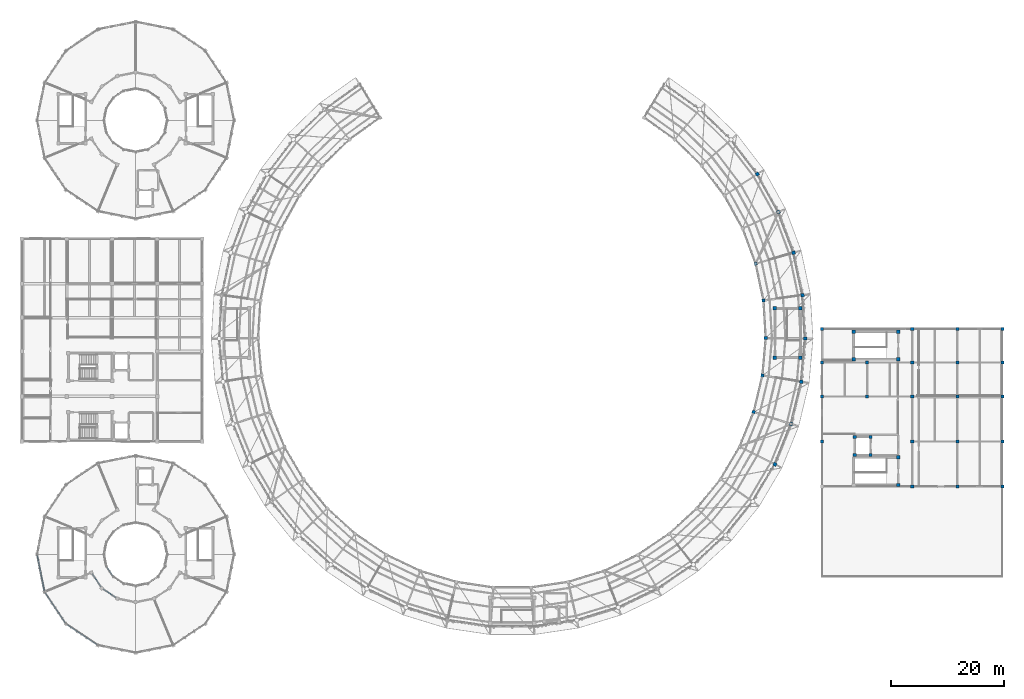
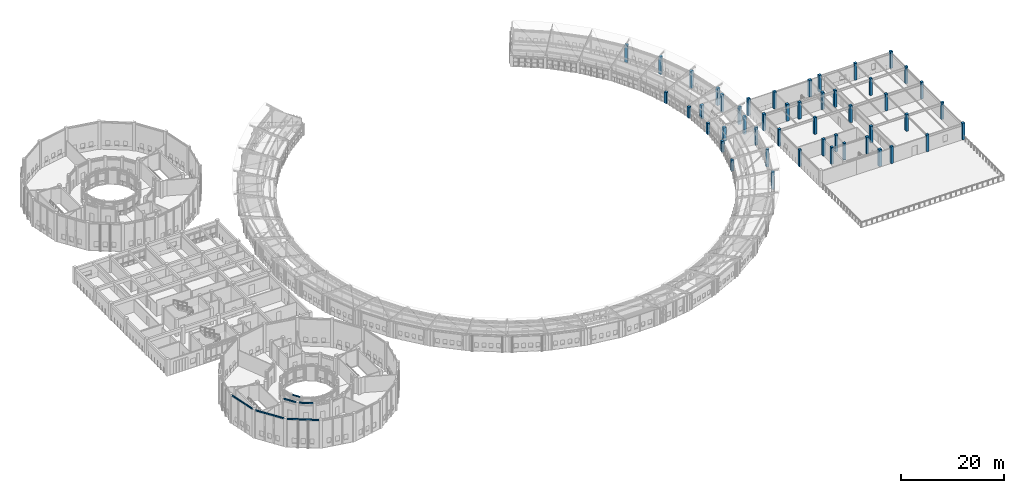
# One storey, part 7 of 149: 48 columns, 6 beams.
"""IFC4 building model written with IfcOpenShell, lengths in metres."""

import ifcopenshell
import ifcopenshell.guid

model = None  # the IFC model being written
_history = None  # IfcOwnerHistory: only IFC2X3 demands one
_inside = {}  # id of a spatial element -> (the spatial element, [elements in it])
_under = {}  # id of a project, library or spatial element -> (it, [spatial elements below it])
_declared = {}  # id of a project -> (the project, [libraries it declares])
_typed = {}  # id of a type object -> (the type object, [elements of that type])
_made_of = {}  # id of a material, layer set ... -> (it, [elements and type objects made of it])


def new_model(schema):
    """Start an empty IFC model of exactly this schema.

    Asked for "IFC4X3", IfcOpenShell would pick the latest addendum, in which some entities
    have other attributes; the version numbers below select the first issue.
    IFC2X3 requires an IfcOwnerHistory on every rooted entity: one is made here for all.
    """
    global model, _history
    if schema == "IFC4X3":
        model = ifcopenshell.file(schema_version=(4, 3, 0, 0))
    else:
        model = ifcopenshell.file(schema=schema)
    _inside.clear()
    _under.clear()
    _declared.clear()
    _typed.clear()
    _made_of.clear()
    _history = None
    if model.schema == "IFC2X3":
        org = make("IfcOrganization", Name="unknown")
        user = make(
            "IfcPersonAndOrganization",
            ThePerson=make("IfcPerson", FamilyName="unknown"),
            TheOrganization=org,
        )
        app = make(
            "IfcApplication",
            ApplicationDeveloper=org,
            Version="unknown",
            ApplicationFullName="unknown",
            ApplicationIdentifier="unknown",
        )
        _history = make(
            "IfcOwnerHistory",
            OwningUser=user,
            OwningApplication=app,
            ChangeAction="ADDED",
            CreationDate=0,
        )
    return model


def make(cls, **values):
    """One entity of the class cls with the attributes given. An attribute that is None is left unset."""
    return model.create_entity(
        cls, **{name: value for name, value in values.items() if value is not None}
    )


def rooted(cls, **values):
    """An entity with a GlobalId (a new one), such as an element, a storey or a relation."""
    return make(cls, GlobalId=ifcopenshell.guid.new(), OwnerHistory=_history, **values)


def si_unit(unit_type, name, prefix=None):
    """IfcSIUnit, for example si_unit("LENGTHUNIT", "METRE", prefix="MILLI")."""
    return make("IfcSIUnit", UnitType=unit_type, Prefix=prefix, Name=name)


def assignment(units):
    """IfcUnitAssignment: the units of a project."""
    return None if units is None else make("IfcUnitAssignment", Units=units)


def point(xyz):
    """IfcCartesianPoint."""
    return None if xyz is None else make("IfcCartesianPoint", Coordinates=xyz)


def direction(xyz):
    """IfcDirection."""
    return None if xyz is None else make("IfcDirection", DirectionRatios=xyz)


def frame(location, z_axis=None, x_axis=None):
    """IfcAxis2Placement3D, a coordinate frame: its origin and axes. An axis left out is left unset."""
    return make(
        "IfcAxis2Placement3D",
        Location=point(location),
        Axis=direction(z_axis),
        RefDirection=direction(x_axis),
    )


def frame_2d(location, x_axis=None):
    """IfcAxis2Placement2D, a coordinate frame in the plane: its origin and x axis."""
    return make(
        "IfcAxis2Placement2D", Location=point(location), RefDirection=direction(x_axis)
    )


def origin():
    """The frame at (0, 0, 0) with its axes left unset."""
    return frame((0.0, 0.0, 0.0))


def origin_2d():
    """The frame at (0, 0) in the plane with its x axis left unset."""
    return frame_2d((0.0, 0.0))


def place(relative_to, where):
    """IfcLocalPlacement: puts the frame where relative to a parent placement (None: the world)."""
    return make(
        "IfcLocalPlacement", PlacementRelTo=relative_to, RelativePlacement=where
    )


def context(
    kind, dimensions, precision=None, world=None, true_north=None, identifier=None
):
    """IfcGeometricRepresentationContext, for example the 3D "Model" context."""
    return make(
        "IfcGeometricRepresentationContext",
        ContextIdentifier=identifier,
        ContextType=kind,
        CoordinateSpaceDimension=dimensions,
        Precision=precision,
        WorldCoordinateSystem=world,
        TrueNorth=true_north,
    )


def subcontext(parent, identifier, kind, view, scale=None):
    """IfcGeometricRepresentationSubContext, for example "Body" below "Model"."""
    return make(
        "IfcGeometricRepresentationSubContext",
        ContextIdentifier=identifier,
        ContextType=kind,
        ParentContext=parent,
        TargetScale=scale,
        TargetView=view,
    )


def project(units=None, contexts=None):
    """IfcProject with its units and contexts."""
    return rooted(
        "IfcProject",
        Name="project",
        RepresentationContexts=contexts,
        UnitsInContext=assignment(units),
    )


def spatial(cls, under=None, at=None, **own):
    """A site, building, storey or space (cls), placed at a placement, below another one or the project."""
    s = rooted(cls, ObjectPlacement=at, **own)
    if under is not None:
        _under.setdefault(under.id(), (under, []))[1].append(s)
    return s


def profile(cls, at=None, kind="AREA", **sizes):
    """A parametric profile (cls). Its sizes go by their IFC names, for example OverallWidth=200.0."""
    return make(cls, ProfileType=kind, Position=at, **sizes)


def rectangle(**sizes):
    """IfcRectangleProfileDef."""
    return profile("IfcRectangleProfileDef", **sizes)


def i_section(**sizes):
    """IfcIShapeProfileDef."""
    return profile("IfcIShapeProfileDef", **sizes)


def extrude(swept, where, along, depth):
    """IfcExtrudedAreaSolid: the profile swept, set in the frame where, extruded along a direction by depth."""
    return make(
        "IfcExtrudedAreaSolid",
        SweptArea=swept,
        Position=where,
        ExtrudedDirection=direction(along),
        Depth=depth,
    )


def shape(context_of_items, identifier, shape_type, items):
    """IfcShapeRepresentation: the items that make up one representation, for example the "Body"."""
    return make(
        "IfcShapeRepresentation",
        ContextOfItems=context_of_items,
        RepresentationIdentifier=identifier,
        RepresentationType=shape_type,
        Items=items,
    )


def material(Name=None, Category=None):
    """IfcMaterial."""
    return make("IfcMaterial", Name=Name, Category=Category)


def material_profile(
    of_material, cross_section, Name=None, Category=None, Priority=None
):
    """IfcMaterialProfile: a cross section and its material."""
    return make(
        "IfcMaterialProfile",
        Name=Name,
        Material=of_material,
        Profile=cross_section,
        Priority=Priority,
        Category=Category,
    )


def profile_set(profiles, Name=None, composite=None):
    """IfcMaterialProfileSet."""
    return make(
        "IfcMaterialProfileSet",
        Name=Name,
        MaterialProfiles=profiles,
        CompositeProfile=composite,
    )


def made_of(thing, what):
    """Note that an element or type object is made of a material, layer set ...; save() writes the relation."""
    if what is not None:
        _made_of.setdefault(what.id(), (what, []))[1].append(thing)
    return thing


def type_object(cls, material=None, **own):
    """A type object (cls), such as IfcWallType, which elements share."""
    return made_of(rooted(cls, **own), material)


def element(
    cls,
    number,
    at=None,
    inside=None,
    cuts=None,
    type_object=None,
    material=None,
    context=None,
    identifier="Body",
    shape_type=None,
    held_by="IfcProductDefinitionShape",
    body=None,
    shapes=None,
    **own,
):
    """One element of the class cls, such as IfcWall. Its Tag is "e" and its number.

    at: its placement. inside: the storey or other place that contains it. cuts: it is an
    opening in that element (IfcRelVoidsElement). A single representation is given by context,
    identifier, shape_type and body (its items); several are given by shapes. held_by: the class
    of the entity that holds the representations. save() writes the other relations.
    """
    e = rooted(cls, Tag="e%d" % number, ObjectPlacement=at, **own)
    if body is not None:
        shapes = [shape(context, identifier, shape_type, body)]
    if shapes is not None:
        e.Representation = make(held_by, Representations=shapes)
    if inside is not None:
        _inside.setdefault(inside.id(), (inside, []))[1].append(e)
    if cuts is not None:
        rooted(
            "IfcRelVoidsElement", RelatingBuildingElement=cuts, RelatedOpeningElement=e
        )
    if type_object is not None:
        _typed.setdefault(type_object.id(), (type_object, []))[1].append(e)
    return made_of(e, material)


def aggregate(whole, parts):
    """IfcRelAggregates: a whole, such as a stair, and the parts it consists of."""
    return rooted("IfcRelAggregates", RelatingObject=whole, RelatedObjects=parts)


def save(model, path):
    """Write the relations noted so far, then the file.

    IfcRelAggregates (storeys below a building ...), IfcRelContainedInSpatialStructure (elements
    in a storey), IfcRelDefinesByType, IfcRelAssociatesMaterial and IfcRelDeclares: one each for
    every whole, place, type object, material and project.
    """
    for whole, parts in _under.values():
        aggregate(whole, parts)
    for where, things in _inside.values():
        rooted(
            "IfcRelContainedInSpatialStructure",
            RelatedElements=things,
            RelatingStructure=where,
        )
    for kind, things in _typed.values():
        rooted("IfcRelDefinesByType", RelatedObjects=things, RelatingType=kind)
    for what, things in _made_of.values():
        rooted("IfcRelAssociatesMaterial", RelatedObjects=things, RelatingMaterial=what)
    for by, libraries in _declared.values():
        rooted("IfcRelDeclares", RelatingContext=by, RelatedDefinitions=libraries)
    model.write(path)


model = new_model("IFC4")

# Units and contexts
model_context = context("Model", 3, precision=1e-05, world=origin(), true_north=direction((0.0, 1.0)))
body_context = subcontext(model_context, "Body", "Model", "MODEL_VIEW")
ifc_project = project(units=[si_unit("LENGTHUNIT", "METRE"), si_unit("AREAUNIT", "SQUARE_METRE"), si_unit("VOLUMEUNIT", "CUBIC_METRE"), si_unit("PLANEANGLEUNIT", "RADIAN"), si_unit("MASSUNIT", "GRAM", prefix="KILO")], contexts=[model_context])

# Site, building, storey
site_placement = place(None, origin())
site = spatial("IfcSite", under=ifc_project, at=site_placement, CompositionType="ELEMENT")
building_placement = place(site_placement, origin())
building = spatial("IfcBuilding", under=site, at=building_placement, Name="Celadon Cloister-Ring School", CompositionType="ELEMENT")
storey_placement = place(building_placement, frame((0.0, 0.0, 12.5)))
storey = spatial("IfcBuildingStorey", under=building, at=storey_placement, Name="L03", CompositionType="ELEMENT", Elevation=12.5)

# Columns
ifc_material_1 = material(Name="Concrete C40/50", Category="concrete")
ifc_material_profile_1 = material_profile(ifc_material_1, rectangle(XDim=0.60009765625, YDim=0.60009765625, at=origin_2d()), Name="RC600X600")
ifc_profile_set_1 = profile_set([ifc_material_profile_1], Name="Concrete C40/50")
column_type_1 = type_object("IfcColumnType", Name="CT-04", PredefinedType="COLUMN", material=ifc_profile_set_1)
column_1_placement = place(storey_placement, frame((133.6298828125, 54.89990234375, 0.0), z_axis=(0.0, 0.0, 1.0), x_axis=(1.0, 0.0, 0.0)))
element("IfcColumn", 1, at=column_1_placement, inside=storey, type_object=column_type_1, Name="Column 0004", PredefinedType="COLUMN", context=body_context, shape_type="SweptSolid", body=[
    extrude(rectangle(XDim=0.60009765625, YDim=0.60009765625, at=origin_2d()), origin(), (0.0, 0.0, 1.0), 3.158935546875),
])
for number, where, z_axis, x_axis, name in (
    (2, (138.14990234375, 54.89990234375, 0.0), (0.0, 0.0, 1.0), (1.0, 0.0, 0.0), "Column 0008"),
    (3, (138.14990234375, 63.6201171875, 0.0), (0.0, 0.0, 1.0), (1.0, 0.0, 0.0), "Column 0012"),
):
    element("IfcColumn", number, at=place(storey_placement, frame(where, z_axis=z_axis, x_axis=x_axis)), inside=storey, type_object=column_type_1, Name=name, PredefinedType="COLUMN", context=body_context, shape_type="SweptSolid", body=[
        extrude(rectangle(XDim=0.60009765625, YDim=0.60009765625, at=origin_2d()), origin(), (0.0, 0.0, 1.0), 4.14990234375),
    ])
column_2_placement = place(storey_placement, frame((133.6298828125, 63.6201171875, 0.0), z_axis=(0.0, 0.0, 1.0), x_axis=(1.0, 0.0, 0.0)))
element("IfcColumn", 4, at=column_2_placement, inside=storey, type_object=column_type_1, Name="Column 0016", PredefinedType="COLUMN", context=body_context, shape_type="SweptSolid", body=[
    extrude(rectangle(XDim=0.60009765625, YDim=0.60009765625, at=origin_2d()), origin(), (0.0, 0.0, 1.0), 3.169921875),
])
for number, where, z_axis, x_axis, name in (
    (5, (155.5, 32.300048828125, 0.0), (0.0, 0.0, 1.0), (1.0, 0.0, 0.0), "Column 0102"),
    (6, (155.5, 37.199951171875, 0.0), (0.0, 0.0, 1.0), (1.0, 0.0, 0.0), "Column 0106"),
    (7, (147.60009765625, 54.60009765625, 0.0), (0.0, 0.0, 1.0), (1.0, 0.0, 0.0), "Column 0110"),
    (8, (155.5, 54.60009765625, 0.0), (0.0, 0.0, 1.0), (1.0, 0.0, 0.0), "Column 0114"),
    (9, (155.5, 59.5, 0.0), (0.0, 0.0, 1.0), (1.0, 0.0, 0.0), "Column 0118"),
    (10, (147.60009765625, 59.5, 0.0), (0.0, 0.0, 1.0), (1.0, 0.0, 0.0), "Column 0122"),
):
    element("IfcColumn", number, at=place(storey_placement, frame(where, z_axis=z_axis, x_axis=x_axis)), inside=storey, type_object=column_type_1, Name=name, PredefinedType="COLUMN", context=body_context, shape_type="SweptSolid", body=[
        extrude(rectangle(XDim=0.60009765625, YDim=0.60009765625, at=origin_2d()), origin(), (0.0, 0.0, 1.0), 4.0),
    ])
ifc_material_2 = material(Name="Concrete C40/50", Category="concrete")
ifc_material_profile_2 = material_profile(ifc_material_2, rectangle(XDim=0.550048828125, YDim=0.550048828125, at=origin_2d()), Name="RC550X550")
ifc_profile_set_2 = profile_set([ifc_material_profile_2], Name="Concrete C40/50")
column_type_2 = type_object("IfcColumnType", Name="CT-05", PredefinedType="COLUMN", material=ifc_profile_set_2)
for number, where, z_axis, x_axis, name in (
    (11, (147.800048828125, 37.60009765625, 0.0), (0.0, 0.0, 1.0), (1.0, 0.0, 0.0), "Column 0311"),
    (12, (150.60009765625, 37.60009765625, 0.0), (0.0, 0.0, 1.0), (1.0, 0.0, 0.0), "Column 0315"),
    (13, (150.60009765625, 40.800048828125, 0.0), (0.0, 0.0, 1.0), (1.0, 0.0, 0.0), "Column 0319"),
    (14, (147.800048828125, 40.800048828125, 0.0), (0.0, 0.0, 1.0), (1.0, 0.0, 0.0), "Column 0323"),
    (15, (142.0, 40.0, 0.0), (0.0, 0.0, 1.0), (1.0, 0.0, 0.0), "Column 0937"),
    (16, (142.0, 48.0, 0.0), (0.0, 0.0, 1.0), (1.0, 0.0, 0.0), "Column 0941"),
    (17, (142.0, 54.0, 0.0), (0.0, 0.0, 1.0), (1.0, 0.0, 0.0), "Column 0945"),
    (18, (142.0, 60.0, 0.0), (0.0, 0.0, 1.0), (1.0, 0.0, 0.0), "Column 0949"),
    (19, (150.0, 48.0, 0.0), (0.0, 0.0, 1.0), (1.0, 0.0, 0.0), "Column 0963"),
    (20, (150.0, 54.0, 0.0), (0.0, 0.0, 1.0), (1.0, 0.0, 0.0), "Column 0967"),
    (21, (158.0, 32.0, 0.0), (0.0, 0.0, 1.0), (1.0, 0.0, 0.0), "Column 0981"),
    (22, (158.0, 40.0, 0.0), (0.0, 0.0, 1.0), (1.0, 0.0, 0.0), "Column 0985"),
    (23, (158.0, 48.0, 0.0), (0.0, 0.0, 1.0), (1.0, 0.0, 0.0), "Column 0989"),
    (24, (158.0, 54.0, 0.0), (0.0, 0.0, 1.0), (1.0, 0.0, 0.0), "Column 0993"),
    (25, (158.0, 60.0, 0.0), (0.0, 0.0, 1.0), (1.0, 0.0, 0.0), "Column 0997"),
    (26, (166.0, 32.0, 0.0), (0.0, 0.0, 1.0), (1.0, 0.0, 0.0), "Column 1011"),
    (27, (166.0, 40.0, 0.0), (0.0, 0.0, 1.0), (1.0, 0.0, 0.0), "Column 1015"),
    (28, (166.0, 48.0, 0.0), (0.0, 0.0, 1.0), (1.0, 0.0, 0.0), "Column 1019"),
    (29, (166.0, 54.0, 0.0), (0.0, 0.0, 1.0), (1.0, 0.0, 0.0), "Column 1023"),
    (30, (166.0, 60.0, 0.0), (0.0, 0.0, 1.0), (1.0, 0.0, 0.0), "Column 1027"),
    (31, (174.0, 32.0, 0.0), (0.0, 0.0, 1.0), (1.0, 0.0, 0.0), "Column 1041"),
    (32, (174.0, 40.0, 0.0), (0.0, 0.0, 1.0), (1.0, 0.0, 0.0), "Column 1045"),
    (33, (174.0, 48.0, 0.0), (0.0, 0.0, 1.0), (1.0, 0.0, 0.0), "Column 1049"),
    (34, (174.0, 54.0, 0.0), (0.0, 0.0, 1.0), (1.0, 0.0, 0.0), "Column 1053"),
    (35, (174.0, 60.0, 0.0), (0.0, 0.0, 1.0), (1.0, 0.0, 0.0), "Column 1057"),
):
    element("IfcColumn", number, at=place(storey_placement, frame(where, z_axis=z_axis, x_axis=x_axis)), inside=storey, type_object=column_type_2, Name=name, PredefinedType="COLUMN", context=body_context, shape_type="SweptSolid", body=[
        extrude(rectangle(XDim=0.550048828125, YDim=0.550048828125, at=origin_2d()), origin(), (0.0, 0.0, 1.0), 4.0),
    ])
ifc_material_3 = material(Name="Concrete C40/50", Category="concrete")
ifc_material_profile_3 = material_profile(ifc_material_3, rectangle(XDim=0.60009765625, YDim=0.60009765625, at=origin_2d()), Name="RC600X600")
ifc_profile_set_3 = profile_set([ifc_material_profile_3], Name="Concrete C40/50")
column_type_3 = type_object("IfcColumnType", Name="CT-23", PredefinedType="COLUMN", material=ifc_profile_set_3)
for number, where, z_axis, x_axis, name in (
    (36, (133.625, 35.97705078125, 0.0), (0.0, 0.0, 1.0), (0.896641036785, -0.442758231039, 0.0), "Column 0635"),
    (37, (136.514892578125, 43.117919921875, 0.0), (0.0, 0.0, 1.0), (0.95221472185, -0.305429408362, 0.0), "Column 0639"),
    (38, (138.318115234375, 50.60693359375, 0.0), (0.0, 0.0, 1.0), (0.986889540988, -0.161397130983, 0.0), "Column 0643"),
    (39, (138.9951171875, 58.281005859375, 0.0), (0.0, 0.0, 1.0), (0.999904463751, -0.013822567474, 0.0), "Column 0647"),
    (40, (138.531005859375, 65.970947265625, 0.0), (0.0, 0.0, 1.0), (0.9909738433, 0.13405536877, 0.0), "Column 0651"),
    (41, (136.93505859375, 73.508056640625, 0.0), (0.0, 0.0, 1.0), (0.960293685677, 0.278991106039, 0.0), "Column 0655"),
    (42, (134.243896484375, 80.72607421875, 0.0), (0.0, 0.0, 1.0), (0.908537347938, 0.417803646947, 0.0), "Column 0659"),
    (43, (130.51611328125, 87.467041015625, 0.0), (0.0, 0.0, 1.0), (0.836840759551, 0.547446383817, 0.0), "Column 0663"),
):
    element("IfcColumn", number, at=place(storey_placement, frame(where, z_axis=z_axis, x_axis=x_axis)), inside=storey, type_object=column_type_3, Name=name, PredefinedType="COLUMN", context=body_context, shape_type="SweptSolid", body=[
        extrude(rectangle(XDim=0.60009765625, YDim=0.60009765625, at=origin_2d()), origin(), (0.0, 0.0, 1.0), 4.159912109375),
    ])
ifc_material_4 = material(Name="Concrete C40/50", Category="concrete")
ifc_material_profile_4 = material_profile(ifc_material_4, rectangle(XDim=0.550048828125, YDim=0.550048828125, at=origin_2d()), Name="RC550X550")
ifc_profile_set_4 = profile_set([ifc_material_profile_4], Name="Concrete C40/50")
column_type_4 = type_object("IfcColumnType", Name="CT-24", PredefinedType="COLUMN", material=ifc_profile_set_4)
for number, where, z_axis, x_axis, name in (
    (44, (129.85009765625, 45.256103515625, 0.0), (0.0, 0.0, 1.0), (0.95221472185, -0.305429408362, 0.0), "Column 0503"),
    (45, (131.409912109375, 51.737060546875, 0.0), (0.0, 0.0, 1.0), (0.986889540988, -0.161397130983, 0.0), "Column 0507"),
    (46, (131.99609375, 58.3779296875, 0.0), (0.0, 0.0, 1.0), (0.999904463751, -0.013822567474, 0.0), "Column 0511"),
    (47, (131.593994140625, 65.031982421875, 0.0), (0.0, 0.0, 1.0), (0.9909738433, 0.13405536877, 0.0), "Column 0515"),
    (48, (130.212890625, 71.554931640625, 0.0), (0.0, 0.0, 1.0), (0.960293685677, 0.278991106039, 0.0), "Column 0519"),
):
    element("IfcColumn", number, at=place(storey_placement, frame(where, z_axis=z_axis, x_axis=x_axis)), inside=storey, type_object=column_type_4, Name=name, PredefinedType="COLUMN", context=body_context, shape_type="SweptSolid", body=[
        extrude(rectangle(XDim=0.550048828125, YDim=0.550048828125, at=origin_2d()), origin(), (0.0, 0.0, 1.0), 2.639892578125),
    ])

# Beams
ifc_material_5 = material(Name="Structural steel S355JR", Category="steel")
ifc_material_profile_5 = material_profile(ifc_material_5, i_section(OverallWidth=0.1708984375, OverallDepth=0.35498046875, WebThickness=0.007080078125, FlangeThickness=0.01171875, at=origin_2d()), Name="W360X51")
ifc_profile_set_5 = profile_set([ifc_material_profile_5], Name="Structural steel S355JR")
beam_type_1 = type_object("IfcBeamType", Name="GT-08", PredefinedType="USERDEFINED", material=ifc_profile_set_5)
beam_1_placement = place(storey_placement, frame((12.486083984375, 16.5390625, 4.322998046875), z_axis=(0.555740149771, -0.831356052442, 0.0), x_axis=(0.831356052442, 0.555740149771, 0.0)))
element("IfcBeam", 49, at=beam_1_placement, inside=storey, type_object=beam_type_1, Name="Beam 1095", ObjectType="GIRDER", PredefinedType="USERDEFINED", context=body_context, shape_type="SweptSolid", body=[
    extrude(i_section(OverallWidth=0.1708984375, OverallDepth=0.35498046875, WebThickness=0.007080078125, FlangeThickness=0.01171875, at=origin_2d()), origin(), (0.0, 0.0, 1.0), 2.81591796875),
])
beam_2_placement = place(storey_placement, frame((14.39794921875, 13.85107421875, 4.322998046875), z_axis=(0.831315995752, -0.555800067657, 0.0), x_axis=(0.555800067657, 0.831315995752, 0.0)))
element("IfcBeam", 50, at=beam_2_placement, inside=storey, type_object=beam_type_1, Name="Beam 1098", ObjectType="GIRDER", PredefinedType="USERDEFINED", context=body_context, shape_type="SweptSolid", body=[
    extrude(i_section(OverallWidth=0.1708984375, OverallDepth=0.35498046875, WebThickness=0.007080078125, FlangeThickness=0.01171875, at=origin_2d()), origin(), (0.0, 0.0, 1.0), 2.816162109375),
])
ifc_material_6 = material(Name="Structural steel S355JR", Category="steel")
ifc_material_profile_6 = material_profile(ifc_material_6, i_section(OverallWidth=0.1708984375, OverallDepth=0.35498046875, WebThickness=0.007080078125, FlangeThickness=0.01171875, at=origin_2d()), Name="W360X51")
ifc_profile_set_6 = profile_set([ifc_material_profile_6], Name="Structural steel S355JR")
beam_type_2 = type_object("IfcBeamType", Name="SP-04", PredefinedType="SPANDREL", material=ifc_profile_set_6)
beam_3_placement = place(storey_placement, frame((2.75390625, 19.72998046875, 6.572998046875), z_axis=(0.195001619501, -0.980802920261, 0.0), x_axis=(0.980802920261, 0.195001619501, 0.0)))
element("IfcBeam", 51, at=beam_3_placement, inside=storey, type_object=beam_type_2, Name="Beam 1092", PredefinedType="SPANDREL", context=body_context, shape_type="SweptSolid", body=[
    extrude(i_section(OverallWidth=0.1708984375, OverallDepth=0.35498046875, WebThickness=0.007080078125, FlangeThickness=0.01171875, at=origin_2d()), origin(), (0.0, 0.0, 1.0), 6.277587890625),
])
beam_4_placement = place(storey_placement, frame((4.18505859375, 13.073974609375, 6.572998046875), z_axis=(0.555660177561, -0.831409506244, 0.0), x_axis=(0.831409506244, 0.555660177561, 0.0)))
element("IfcBeam", 52, at=beam_4_placement, inside=storey, type_object=beam_type_2, Name="Beam 1094", PredefinedType="SPANDREL", context=body_context, shape_type="SweptSolid", body=[
    extrude(i_section(OverallWidth=0.1708984375, OverallDepth=0.35498046875, WebThickness=0.007080078125, FlangeThickness=0.01171875, at=origin_2d()), origin(), (0.0, 0.0, 1.0), 6.27734375),
])
beam_5_placement = place(storey_placement, frame((8.054931640625, 7.472900390625, 6.572998046875), z_axis=(0.831427473898, -0.555633292422, 0.0), x_axis=(0.555633292422, 0.831427473898, 0.0)))
element("IfcBeam", 53, at=beam_5_placement, inside=storey, type_object=beam_type_2, Name="Beam 1097", PredefinedType="SPANDREL", context=body_context, shape_type="SweptSolid", body=[
    extrude(i_section(OverallWidth=0.1708984375, OverallDepth=0.35498046875, WebThickness=0.007080078125, FlangeThickness=0.01171875, at=origin_2d()), origin(), (0.0, 0.0, 1.0), 6.277099609375),
])
ifc_material_7 = material(Name="Structural steel S355JR", Category="steel")
ifc_material_profile_7 = material_profile(ifc_material_7, i_section(OverallWidth=0.1669921875, OverallDepth=0.31689453125, WebThickness=0.007568359375, FlangeThickness=0.01318359375, at=origin_2d()), Name="W310X52")
ifc_profile_set_7 = profile_set([ifc_material_profile_7], Name="Structural steel S355JR")
beam_type_3 = type_object("IfcBeamType", Name="SP-05", PredefinedType="SPANDREL", material=ifc_profile_set_7)
beam_6_placement = place(storey_placement, frame((15.1650390625, 17.64892578125, 3.615966796875), z_axis=(0.555569328961, -0.831470216374, 0.0), x_axis=(0.831470216374, 0.555569328961, 0.0)))
element("IfcBeam", 54, at=beam_6_placement, inside=storey, type_object=beam_type_3, Name="Beam 1096", PredefinedType="SPANDREL", context=body_context, shape_type="SweptSolid", body=[
    extrude(i_section(OverallWidth=0.1669921875, OverallDepth=0.31689453125, WebThickness=0.007568359375, FlangeThickness=0.01318359375, at=origin_2d()), origin(), (0.0, 0.0, 1.0), 1.684814453125),
])

save(model, "model.ifc")
